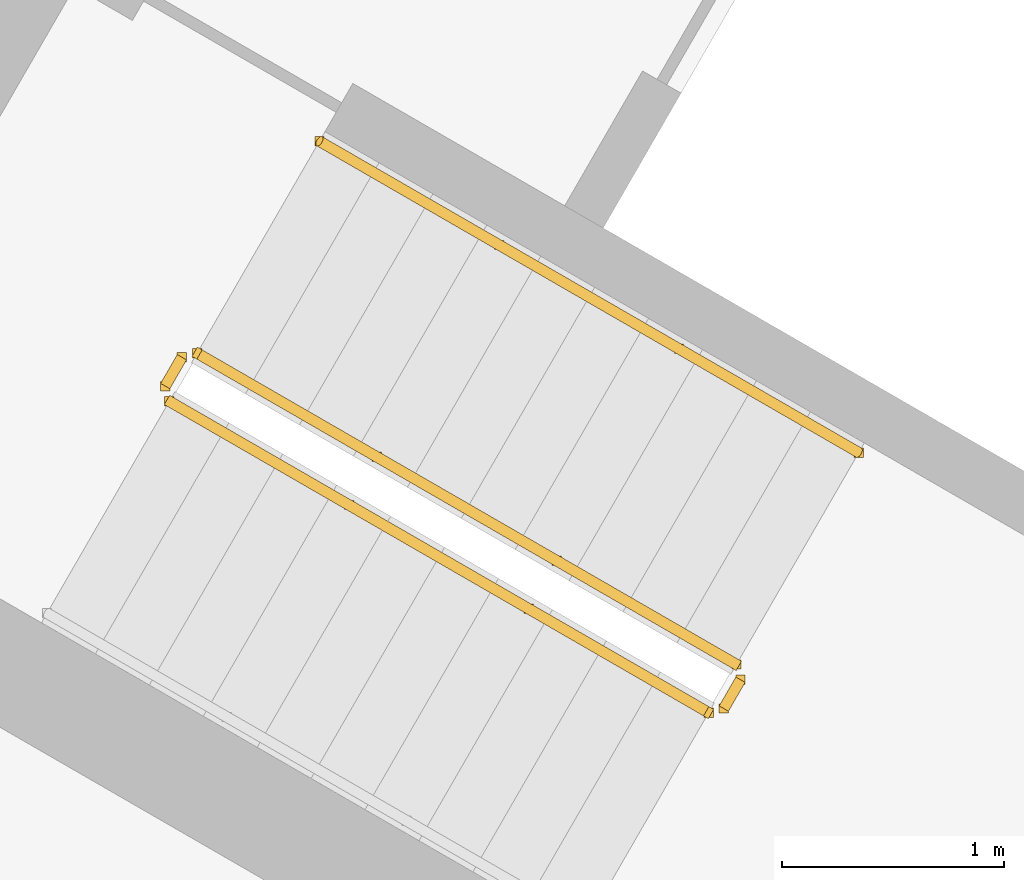
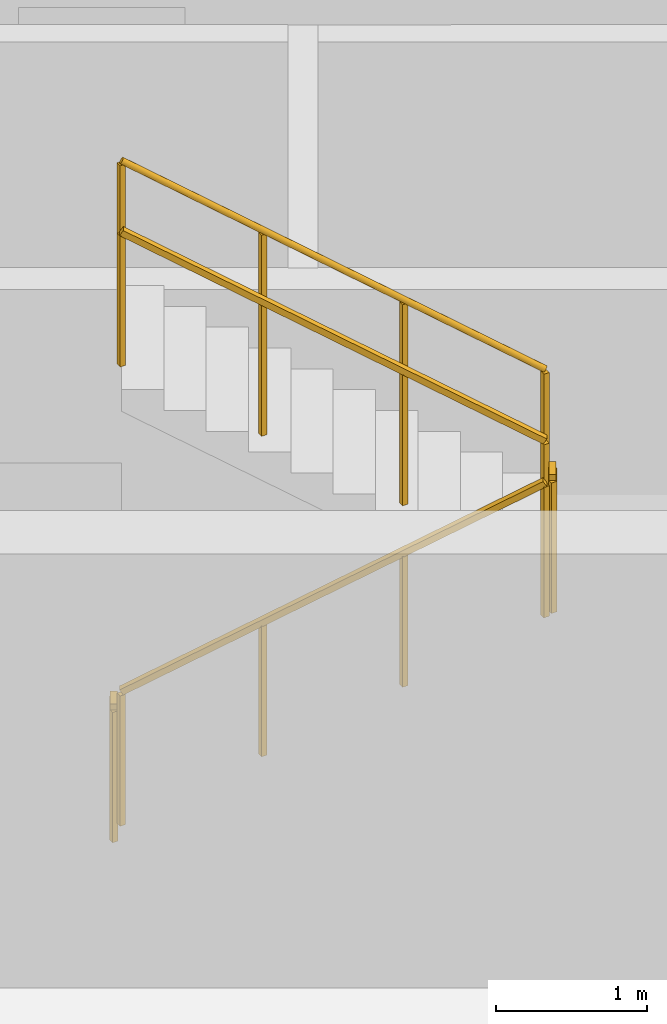
# One storey, part 16 of 18: 5 railings.
"""IFC4 building model written with IfcOpenShell, lengths in metres."""

from ifc_helpers import new_model, si_unit, direction, frame, origin, origin_2d, place, context, subcontext, project, spatial, rectangle, circle, extrude, material, type_object, element, save


model = new_model("IFC4")

# Units and contexts
model_context = context("Model", 3, precision=1e-05, world=origin(), true_north=direction((0.0, 1.0)))
body_context = subcontext(model_context, "Body", "Model", "MODEL_VIEW")
ifc_project = project(units=[si_unit("LENGTHUNIT", "METRE"), si_unit("AREAUNIT", "SQUARE_METRE"), si_unit("VOLUMEUNIT", "CUBIC_METRE"), si_unit("PLANEANGLEUNIT", "RADIAN"), si_unit("MASSUNIT", "GRAM", prefix="KILO")], contexts=[model_context])

# Site, building, storey
site_placement = place(None, origin())
site = spatial("IfcSite", under=ifc_project, at=site_placement, CompositionType="ELEMENT")
building_placement = place(site_placement, origin())
building = spatial("IfcBuilding", under=site, at=building_placement, Name="Apuvela Tower Hotel", CompositionType="ELEMENT")
storey_placement = place(building_placement, frame((0.0, 0.0, 246.699951171875)))
storey = spatial("IfcBuildingStorey", under=building, at=storey_placement, Name="L60", CompositionType="ELEMENT", Elevation=246.699951171875)

# Railings
ifc_material_1 = material(Name="Steel S275 balustrade", Category="steel")
railing_type_1 = type_object("IfcRailingType", Name="COR-GUARD-1100", PredefinedType="GUARDRAIL", material=ifc_material_1)
railing_1_placement = place(storey_placement, frame((10.718994140625, -10.63427734375, 0.168212890625)))
element("IfcRailing", 1, at=railing_1_placement, inside=storey, type_object=railing_type_1, Name="L60 ST3 stair guard 1", PredefinedType="GUARDRAIL", context=body_context, shape_type="SweptSolid", body=[
    extrude(rectangle(XDim=0.048095703125, YDim=0.048095703125, at=origin_2d()), frame((0.0, 0.0, 1.076171875), z_axis=(0.742390482028, -0.42860119049, 0.514934356695), x_axis=(0.49998411664, 0.866034573852, 0.0)), (0.0, 0.0, 1.0), 3.26611328125),
    extrude(rectangle(XDim=0.0419921875, YDim=0.0419921875, at=origin_2d()), origin(), (0.0, 0.0, 1.0), 1.052001953125),
    extrude(rectangle(XDim=0.0419921875, YDim=0.0419921875, at=origin_2d()), frame((0.808349609375, -0.466552734375, 0.560546875)), (0.0, 0.0, 1.0), 1.052001953125),
    extrude(rectangle(XDim=0.0419921875, YDim=0.0419921875, at=origin_2d()), frame((1.616455078125, -0.933349609375, 1.121337890625)), (0.0, 0.0, 1.0), 1.052001953125),
    extrude(rectangle(XDim=0.0419921875, YDim=0.0419921875, at=origin_2d()), frame((2.4248046875, -1.39990234375, 1.681884765625)), (0.0, 0.0, 1.0), 1.052001953125),
])
railing_2_placement = place(storey_placement, frame((13.212158203125, -12.015869140625, 1.85009765625)))
element("IfcRailing", 2, at=railing_2_placement, inside=storey, type_object=railing_type_1, Name="L60 ST3 stair guard 2", PredefinedType="GUARDRAIL", context=body_context, shape_type="SweptSolid", body=[
    extrude(rectangle(XDim=0.048095703125, YDim=0.048095703125, at=origin_2d()), frame((0.0, 0.0, 1.076171875), z_axis=(0.499816412211, 0.866131372301, 0.0), x_axis=(-0.866131372301, 0.499816412211, 0.0)), (0.0, 0.0, 1.0), 0.14990234375),
    extrude(rectangle(XDim=0.0419921875, YDim=0.0419921875, at=origin_2d()), origin(), (0.0, 0.0, 1.0), 1.052001953125),
    extrude(rectangle(XDim=0.0419921875, YDim=0.0419921875, at=origin_2d()), frame((0.074951171875, 0.1298828125, 0.0)), (0.0, 0.0, 1.0), 1.052001953125),
])
railing_3_placement = place(storey_placement, frame((13.268798828125, -11.817626953125, 2.018310546875)))
element("IfcRailing", 3, at=railing_3_placement, inside=storey, type_object=railing_type_1, Name="L60 ST3 stair guard 3", PredefinedType="GUARDRAIL", context=body_context, shape_type="SweptSolid", body=[
    extrude(rectangle(XDim=0.048095703125, YDim=0.048095703125, at=origin_2d()), frame((0.0, 0.0, 1.076171875), z_axis=(-0.74241905619, 0.428617687091, 0.514879426), x_axis=(-0.49998411664, -0.866034573852, 0.0)), (0.0, 0.0, 1.0), 3.26611328125),
    extrude(rectangle(XDim=0.0419921875, YDim=0.0419921875, at=origin_2d()), origin(), (0.0, 0.0, 1.0), 1.052001953125),
    extrude(rectangle(XDim=0.0419921875, YDim=0.0419921875, at=origin_2d()), frame((-0.808349609375, 0.466552734375, 0.560546875)), (0.0, 0.0, 1.0), 1.052001953125),
    extrude(rectangle(XDim=0.0419921875, YDim=0.0419921875, at=origin_2d()), frame((-1.616455078125, 0.933349609375, 1.12109375)), (0.0, 0.0, 1.0), 1.052001953125),
    extrude(rectangle(XDim=0.0419921875, YDim=0.0419921875, at=origin_2d()), frame((-2.4248046875, 1.39990234375, 1.681640625)), (0.0, 0.0, 1.0), 1.052001953125),
])
railing_4_placement = place(storey_placement, frame((10.70068359375, -10.56591796875, 0.0)))
element("IfcRailing", 4, at=railing_4_placement, inside=storey, type_object=railing_type_1, Name="L60 ST3 stair guard 4", PredefinedType="GUARDRAIL", context=body_context, shape_type="SweptSolid", body=[
    extrude(rectangle(XDim=0.048095703125, YDim=0.048095703125, at=origin_2d()), frame((0.0, 0.0, 1.076171875), z_axis=(0.499816412211, 0.866131372301, 0.0), x_axis=(-0.866131372301, 0.499816412211, 0.0)), (0.0, 0.0, 1.0), 0.14990234375),
    extrude(rectangle(XDim=0.0419921875, YDim=0.0419921875, at=origin_2d()), origin(), (0.0, 0.0, 1.0), 1.052001953125),
    extrude(rectangle(XDim=0.0419921875, YDim=0.0419921875, at=origin_2d()), frame((0.074951171875, 0.1298828125, 0.0)), (0.0, 0.0, 1.0), 1.052001953125),
])
ifc_material_2 = material(Name="Stainless steel 316 handrail", Category="steel")
railing_type_2 = type_object("IfcRailingType", Name="COR-HANDRAIL-900", PredefinedType="HANDRAIL", material=ifc_material_2)
railing_5_placement = place(storey_placement, frame((13.81884765625, -10.864990234375, 2.018310546875)))
element("IfcRailing", 5, at=railing_5_placement, inside=storey, type_object=railing_type_2, Name="L60 ST3 stair handrail 2", PredefinedType="HANDRAIL", context=body_context, shape_type="SweptSolid", body=[
    extrude(circle(Radius=0.02392578125, at=origin_2d()), frame((0.0, 0.0, 0.8759765625), z_axis=(-0.74241905619, 0.428617687091, 0.514879426), x_axis=(-0.49998411664, -0.866034573852, 0.0)), (0.0, 0.0, 1.0), 3.26611328125),
    extrude(rectangle(XDim=0.0419921875, YDim=0.0419921875, at=origin_2d()), origin(), (0.0, 0.0, 1.0), 0.851806640625),
    extrude(rectangle(XDim=0.0419921875, YDim=0.0419921875, at=origin_2d()), frame((-0.808349609375, 0.466552734375, 0.560546875)), (0.0, 0.0, 1.0), 0.851806640625),
    extrude(rectangle(XDim=0.0419921875, YDim=0.0419921875, at=origin_2d()), frame((-1.616455078125, 0.933349609375, 1.12109375)), (0.0, 0.0, 1.0), 0.851806640625),
    extrude(rectangle(XDim=0.0419921875, YDim=0.0419921875, at=origin_2d()), frame((-2.4248046875, 1.39990234375, 1.681640625)), (0.0, 0.0, 1.0), 0.851806640625),
])

save(model, "model.ifc")
